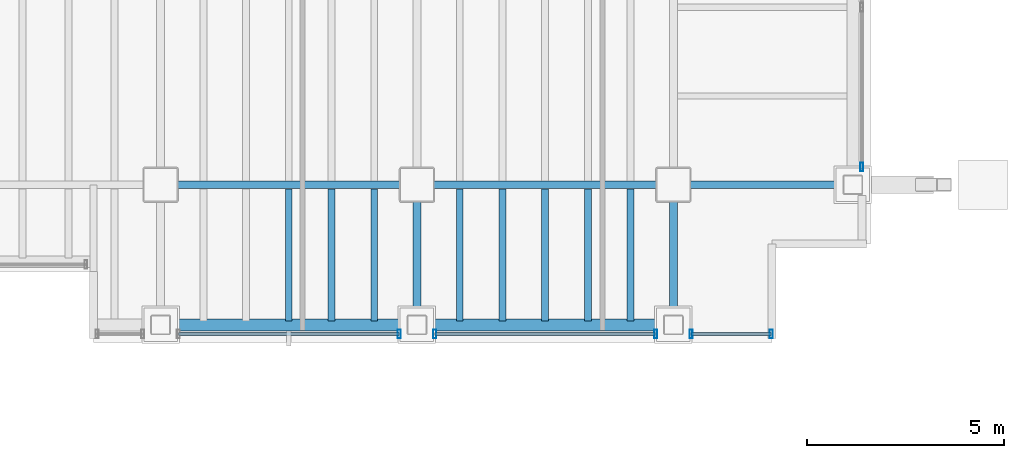
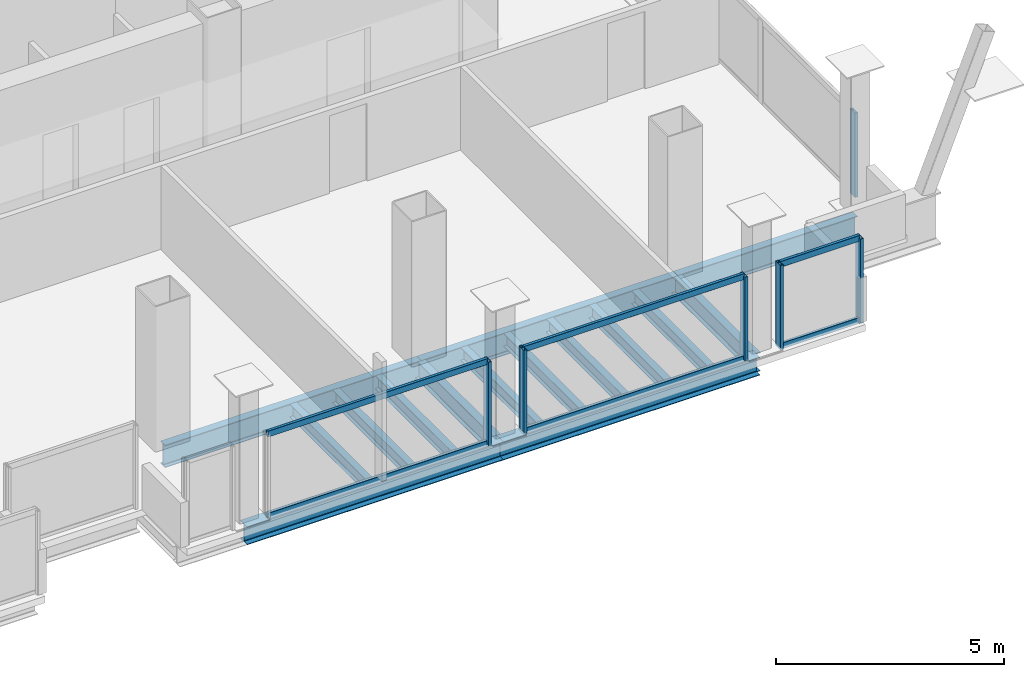
# One storey, part 11 of 19: 15 beams, 12 members, 4 elements without a shape of their own.
"""IFC4 building model written with IfcOpenShell, lengths in metres."""

from ifc_helpers import new_model, si_unit, direction, frame, origin, origin_2d, place, context, subcontext, project, spatial, hollow_rectangle, i_section, extrude, material, material_profile, profile_set, type_object, element, aggregate, save


model = new_model("IFC4")

# Units and contexts
model_context = context("Model", 3, precision=1e-05, world=origin(), true_north=direction((0.0, 1.0)))
body_context = subcontext(model_context, "Body", "Model", "MODEL_VIEW")
ifc_project = project(units=[si_unit("LENGTHUNIT", "METRE"), si_unit("AREAUNIT", "SQUARE_METRE"), si_unit("VOLUMEUNIT", "CUBIC_METRE"), si_unit("PLANEANGLEUNIT", "RADIAN"), si_unit("MASSUNIT", "GRAM", prefix="KILO")], contexts=[model_context])

# Site, building, storey
site_placement = place(None, origin())
site = spatial("IfcSite", under=ifc_project, at=site_placement, CompositionType="ELEMENT")
building_placement = place(site_placement, origin())
building = spatial("IfcBuilding", under=site, at=building_placement, Name="Noeulbin Bourse Tower", CompositionType="ELEMENT")
storey_placement = place(building_placement, frame((0.0, 0.0, 165.60009765625)))
storey = spatial("IfcBuildingStorey", under=building, at=storey_placement, Name="L41", CompositionType="ELEMENT", Elevation=165.60009765625)

# Beams
ifc_material_1 = material(Name="Steel S355", Category="steel")
ifc_material_profile_1 = material_profile(ifc_material_1, i_section(OverallWidth=0.199951171875, OverallDepth=0.5, WebThickness=0.010009765625, FlangeThickness=0.01611328125, FilletRadius=0.02001953125, at=origin_2d()), Name="H-500x200x10x16", Category="LoadBearing")
ifc_profile_set_1 = profile_set([ifc_material_profile_1], Name="Steel S355")
beam_type_1 = type_object("IfcBeamType", Name="BM-GRD-500", PredefinedType="USERDEFINED", material=ifc_profile_set_1)
for number, where, z_axis, x_axis, name in (
    (1, (37.5, 16.449951171875, -0.43017578125), (0.0, 1.0, 0.0), (-1.0, 0.0, 0.0), "Tower Primary Girder NS L41-4.1"),
    (2, (44.0, 16.449951171875, -0.43017578125), (0.0, 1.0, 0.0), (-1.0, 0.0, 0.0), "Tower Primary Girder NS L41-5.1"),
):
    element("IfcBeam", number, at=place(storey_placement, frame(where, z_axis=z_axis, x_axis=x_axis)), inside=storey, type_object=beam_type_1, Name=name, ObjectType="GIRDER", PredefinedType="USERDEFINED", context=body_context, shape_type="SweptSolid", body=[
        extrude(i_section(OverallWidth=0.199951171875, OverallDepth=0.5, WebThickness=0.010009765625, FlangeThickness=0.01611328125, FilletRadius=0.02001953125, at=origin_2d()), origin(), (0.0, 0.0, 1.0), 3.550048828125),
    ])
ifc_material_profile_2 = material_profile(ifc_material_1, i_section(OverallWidth=0.199951171875, OverallDepth=0.60009765625, WebThickness=0.010986328125, FlangeThickness=0.01708984375, FilletRadius=0.02197265625, at=origin_2d()), Name="H-600x200x11x17", Category="LoadBearing")
ifc_profile_set_2 = profile_set([ifc_material_profile_2], Name="Steel S355")
beam_type_2 = type_object("IfcBeamType", Name="BM-GRD-600", PredefinedType="USERDEFINED", material=ifc_profile_set_2)
for number, where, z_axis, x_axis, name in (
    (3, (31.0, 20.0, -0.47998046875), (1.0, 0.0, 0.0), (0.0, 1.0, 0.0), "Tower Primary Girder EW L41-1.4"),
    (4, (37.5, 20.0, -0.47998046875), (1.0, 0.0, 0.0), (0.0, 1.0, 0.0), "Tower Primary Girder EW L41-1.5"),
):
    element("IfcBeam", number, at=place(storey_placement, frame(where, z_axis=z_axis, x_axis=x_axis)), inside=storey, type_object=beam_type_2, Name=name, ObjectType="GIRDER", PredefinedType="USERDEFINED", context=body_context, shape_type="SweptSolid", body=[
        extrude(i_section(OverallWidth=0.199951171875, OverallDepth=0.60009765625, WebThickness=0.010986328125, FlangeThickness=0.01708984375, FilletRadius=0.02197265625, at=origin_2d()), origin(), (0.0, 0.0, 1.0), 6.5),
    ])
beam_placement = place(storey_placement, frame((44.0, 20.0, -0.47998046875), z_axis=(1.0, 0.0, 0.0), x_axis=(0.0, 1.0, 0.0)))
element("IfcBeam", 5, at=beam_placement, inside=storey, type_object=beam_type_2, Name="Tower Primary Girder EW L41-1.6", ObjectType="GIRDER", PredefinedType="USERDEFINED", context=body_context, shape_type="SweptSolid", body=[
    extrude(i_section(OverallWidth=0.199951171875, OverallDepth=0.60009765625, WebThickness=0.010986328125, FlangeThickness=0.01708984375, FilletRadius=0.02197265625, at=origin_2d()), origin(), (0.0, 0.0, 1.0), 4.550048828125),
])
ifc_material_profile_3 = material_profile(ifc_material_1, i_section(OverallWidth=0.175048828125, OverallDepth=0.35009765625, WebThickness=0.007080078125, FlangeThickness=0.010986328125, FilletRadius=0.013916015625, at=origin_2d()), Name="H-350x175x7x11", Category="LoadBearing")
ifc_profile_set_3 = profile_set([ifc_material_profile_3], Name="Steel S355")
beam_type_3 = type_object("IfcBeamType", Name="BM-JST-350", PredefinedType="JOIST", material=ifc_profile_set_3)
for number, where, z_axis, x_axis, name in (
    (6, (34.25, 16.550048828125, -0.35498046875), (0.0, 1.0, 0.0), (-1.0, 0.0, 0.0), "Tower Composite Joist L41-46"),
    (7, (35.333251953125, 16.550048828125, -0.35498046875), (0.0, 1.0, 0.0), (-1.0, 0.0, 0.0), "Tower Composite Joist L41-49"),
    (8, (36.416748046875, 16.550048828125, -0.35498046875), (0.0, 1.0, 0.0), (-1.0, 0.0, 0.0), "Tower Composite Joist L41-52"),
    (9, (38.583251953125, 16.550048828125, -0.35498046875), (0.0, 1.0, 0.0), (-1.0, 0.0, 0.0), "Tower Composite Joist L41-55"),
    (10, (39.666748046875, 16.550048828125, -0.35498046875), (0.0, 1.0, 0.0), (-1.0, 0.0, 0.0), "Tower Composite Joist L41-58"),
    (11, (40.75, 16.550048828125, -0.35498046875), (0.0, 1.0, 0.0), (-1.0, 0.0, 0.0), "Tower Composite Joist L41-61"),
    (12, (41.833251953125, 16.550048828125, -0.35498046875), (0.0, 1.0, 0.0), (-1.0, 0.0, 0.0), "Tower Composite Joist L41-64"),
    (13, (42.916748046875, 16.550048828125, -0.35498046875), (0.0, 1.0, 0.0), (-1.0, 0.0, 0.0), "Tower Composite Joist L41-67"),
):
    element("IfcBeam", number, at=place(storey_placement, frame(where, z_axis=z_axis, x_axis=x_axis)), inside=storey, type_object=beam_type_3, Name=name, PredefinedType="JOIST", context=body_context, shape_type="SweptSolid", body=[
        extrude(i_section(OverallWidth=0.175048828125, OverallDepth=0.35009765625, WebThickness=0.007080078125, FlangeThickness=0.010986328125, FilletRadius=0.013916015625, at=origin_2d()), origin(), (0.0, 0.0, 1.0), 3.349853515625),
    ])
ifc_material_profile_4 = material_profile(ifc_material_1, i_section(OverallWidth=0.300048828125, OverallDepth=0.488037109375, WebThickness=0.010986328125, FlangeThickness=0.01806640625, FilletRadius=0.02197265625, at=origin_2d()), Name="H-488x300x11x18", Category="LoadBearing")
ifc_profile_set_4 = profile_set([ifc_material_profile_4], Name="Steel S355")
beam_type_4 = type_object("IfcBeamType", Name="BM-SPN-488", PredefinedType="SPANDREL", material=ifc_profile_set_4)
for number, where, z_axis, x_axis, name in (
    (14, (31.0, 16.449951171875, -0.424072265625), (1.0, 0.0, 0.0), (0.0, 1.0, 0.0), "South Spandrel L41-3"),
    (15, (37.5, 16.449951171875, -0.424072265625), (1.0, 0.0, 0.0), (0.0, 1.0, 0.0), "South Spandrel L41-4"),
):
    element("IfcBeam", number, at=place(storey_placement, frame(where, z_axis=z_axis, x_axis=x_axis)), inside=storey, type_object=beam_type_4, Name=name, PredefinedType="SPANDREL", context=body_context, shape_type="SweptSolid", body=[
        extrude(i_section(OverallWidth=0.300048828125, OverallDepth=0.488037109375, WebThickness=0.010986328125, FlangeThickness=0.01806640625, FilletRadius=0.02197265625, at=origin_2d()), origin(), (0.0, 0.0, 1.0), 6.5),
    ])

# Curtain wall, member
ifc_material_2 = material(Name="Dark Tinted Triple Glazing", Category="glass")
curtain_wall_type = type_object("IfcCurtainWallType", Name="CW-SYS-3", PredefinedType="NOTDEFINED", material=ifc_material_2)
curtain_wall_1_placement = place(storey_placement, origin())
curtain_wall_1 = element("IfcCurtainWall", 16, at=curtain_wall_1_placement, inside=storey, type_object=curtain_wall_type, Name="Unitised Curtain Wall CW-L41-S3-S2", PredefinedType="NOTDEFINED")
ifc_material_3 = material(Name="Anodised Aluminium 6063-T6", Category="aluminium")
ifc_material_profile_5 = material_profile(ifc_material_3, hollow_rectangle(XDim=0.074951171875, YDim=0.219970703125, WallThickness=0.0048828125, InnerFilletRadius=0.00244140625, OuterFilletRadius=0.0048828125, at=origin_2d()), Name="ALU-MULL-75x220x5", Category="LoadBearing")
ifc_profile_set_5 = profile_set([ifc_material_profile_5], Name="Anodised Aluminium 6063-T6")
member_type_1 = type_object("IfcMemberType", Name="CW-SYS-3-MUL", PredefinedType="MULLION", material=ifc_profile_set_5)
member_1_placement = place(storey_placement, frame((37.050048828125, 16.219970703125, -0.02001953125), z_axis=(0.0, 0.0, 1.0), x_axis=(1.0, 0.0, 0.0)))
member_1 = element("IfcMember", 17, at=member_1_placement, type_object=member_type_1, Name="Curtain Wall Mullion CW-L41-S3-S2-M01", PredefinedType="MULLION", context=body_context, shape_type="SweptSolid", body=[
    extrude(hollow_rectangle(XDim=0.074951171875, YDim=0.219970703125, WallThickness=0.0048828125, InnerFilletRadius=0.00244140625, OuterFilletRadius=0.0048828125, at=origin_2d()), origin(), (0.0, 0.0, 1.0), 2.260009765625),
])

# Curtain wall, members
curtain_wall_2_placement = place(storey_placement, origin())
curtain_wall_2 = element("IfcCurtainWall", 18, at=curtain_wall_2_placement, inside=storey, type_object=curtain_wall_type, Name="Unitised Curtain Wall CW-L41-S3-S3", PredefinedType="NOTDEFINED")
member_2_placement = place(storey_placement, frame((37.949951171875, 16.219970703125, -0.02001953125), z_axis=(0.0, 0.0, 1.0), x_axis=(1.0, 0.0, 0.0)))
member_2 = element("IfcMember", 19, at=member_2_placement, type_object=member_type_1, Name="Curtain Wall Mullion CW-L41-S3-S3-M00", PredefinedType="MULLION", context=body_context, shape_type="SweptSolid", body=[
    extrude(hollow_rectangle(XDim=0.074951171875, YDim=0.219970703125, WallThickness=0.0048828125, InnerFilletRadius=0.00244140625, OuterFilletRadius=0.0048828125, at=origin_2d()), origin(), (0.0, 0.0, 1.0), 2.260009765625),
])
member_3_placement = place(storey_placement, frame((43.550048828125, 16.219970703125, -0.02001953125), z_axis=(0.0, 0.0, 1.0), x_axis=(1.0, 0.0, 0.0)))
member_3 = element("IfcMember", 20, at=member_3_placement, type_object=member_type_1, Name="Curtain Wall Mullion CW-L41-S3-S3-M01", PredefinedType="MULLION", context=body_context, shape_type="SweptSolid", body=[
    extrude(hollow_rectangle(XDim=0.074951171875, YDim=0.219970703125, WallThickness=0.0048828125, InnerFilletRadius=0.00244140625, OuterFilletRadius=0.0048828125, at=origin_2d()), origin(), (0.0, 0.0, 1.0), 2.260009765625),
])

curtain_wall_3_placement = place(storey_placement, origin())
curtain_wall_3 = element("IfcCurtainWall", 21, at=curtain_wall_3_placement, inside=storey, type_object=curtain_wall_type, Name="Unitised Curtain Wall CW-L41-S3-S4", PredefinedType="NOTDEFINED")
member_4_placement = place(storey_placement, frame((44.449951171875, 16.219970703125, -0.02001953125), z_axis=(0.0, 0.0, 1.0), x_axis=(1.0, 0.0, 0.0)))
member_4 = element("IfcMember", 22, at=member_4_placement, type_object=member_type_1, Name="Curtain Wall Mullion CW-L41-S3-S4-M00", PredefinedType="MULLION", context=body_context, shape_type="SweptSolid", body=[
    extrude(hollow_rectangle(XDim=0.074951171875, YDim=0.219970703125, WallThickness=0.0048828125, InnerFilletRadius=0.00244140625, OuterFilletRadius=0.0048828125, at=origin_2d()), origin(), (0.0, 0.0, 1.0), 2.260009765625),
])
member_5_placement = place(storey_placement, frame((46.47998046875, 16.219970703125, -0.02001953125), z_axis=(0.0, 0.0, 1.0), x_axis=(1.0, 0.0, 0.0)))
member_5 = element("IfcMember", 23, at=member_5_placement, type_object=member_type_1, Name="Curtain Wall Mullion CW-L41-S3-S4-M01", PredefinedType="MULLION", context=body_context, shape_type="SweptSolid", body=[
    extrude(hollow_rectangle(XDim=0.074951171875, YDim=0.219970703125, WallThickness=0.0048828125, InnerFilletRadius=0.00244140625, OuterFilletRadius=0.0048828125, at=origin_2d()), origin(), (0.0, 0.0, 1.0), 2.260009765625),
])

# Curtain wall, member
curtain_wall_4_placement = place(storey_placement, origin())
curtain_wall_4 = element("IfcCurtainWall", 24, at=curtain_wall_4_placement, inside=storey, type_object=curtain_wall_type, Name="Unitised Curtain Wall CW-L41-E-S1", PredefinedType="NOTDEFINED")
member_6_placement = place(storey_placement, frame((48.780029296875, 20.449951171875, -0.02001953125), z_axis=(0.0, 0.0, 1.0), x_axis=(1.0, 0.0, 0.0)))
member_6 = element("IfcMember", 25, at=member_6_placement, type_object=member_type_1, Name="Curtain Wall Mullion CW-L41-E-S1-M00", PredefinedType="MULLION", context=body_context, shape_type="SweptSolid", body=[
    extrude(hollow_rectangle(XDim=0.074951171875, YDim=0.219970703125, WallThickness=0.0048828125, InnerFilletRadius=0.00244140625, OuterFilletRadius=0.0048828125, at=origin_2d()), origin(), (0.0, 0.0, 1.0), 2.260009765625),
])
aggregate(curtain_wall_4, [member_6])

# Member
ifc_material_profile_6 = material_profile(ifc_material_3, hollow_rectangle(XDim=0.074951171875, YDim=0.159912109375, WallThickness=0.0048828125, InnerFilletRadius=0.00244140625, OuterFilletRadius=0.0048828125, at=origin_2d()), Name="ALU-TRAN-75x160x5", Category="LoadBearing")
ifc_profile_set_6 = profile_set([ifc_material_profile_6], Name="Anodised Aluminium 6063-T6")
member_type_2 = type_object("IfcMemberType", Name="CW-SYS-3-TRN", PredefinedType="USERDEFINED", material=ifc_profile_set_6)
member_7_placement = place(storey_placement, frame((31.4599609375, 16.219970703125, 0.010009765625), z_axis=(1.0, 0.0, 0.0), x_axis=(0.0, 1.0, 0.0)))
member_7 = element("IfcMember", 26, at=member_7_placement, type_object=member_type_2, Name="Curtain Wall Transom CW-L41-S3-S2-T00", ObjectType="TRANSOM", PredefinedType="USERDEFINED", context=body_context, shape_type="SweptSolid", body=[
    extrude(hollow_rectangle(XDim=0.074951171875, YDim=0.159912109375, WallThickness=0.0048828125, InnerFilletRadius=0.00244140625, OuterFilletRadius=0.0048828125, at=origin_2d()), origin(), (0.0, 0.0, 1.0), 5.580078125),
])

member_8_placement = place(storey_placement, frame((31.4599609375, 16.219970703125, 2.2099609375), z_axis=(1.0, 0.0, 0.0), x_axis=(0.0, 1.0, 0.0)))
member_8 = element("IfcMember", 27, at=member_8_placement, type_object=member_type_2, Name="Curtain Wall Transom CW-L41-S3-S2-T01", ObjectType="TRANSOM", PredefinedType="USERDEFINED", context=body_context, shape_type="SweptSolid", body=[
    extrude(hollow_rectangle(XDim=0.074951171875, YDim=0.159912109375, WallThickness=0.0048828125, InnerFilletRadius=0.00244140625, OuterFilletRadius=0.0048828125, at=origin_2d()), origin(), (0.0, 0.0, 1.0), 5.580078125),
])

aggregate(curtain_wall_1, [member_1, member_7, member_8])

member_9_placement = place(storey_placement, frame((37.9599609375, 16.219970703125, 0.010009765625), z_axis=(1.0, 0.0, 0.0), x_axis=(0.0, 1.0, 0.0)))
member_9 = element("IfcMember", 28, at=member_9_placement, type_object=member_type_2, Name="Curtain Wall Transom CW-L41-S3-S3-T00", ObjectType="TRANSOM", PredefinedType="USERDEFINED", context=body_context, shape_type="SweptSolid", body=[
    extrude(hollow_rectangle(XDim=0.074951171875, YDim=0.159912109375, WallThickness=0.0048828125, InnerFilletRadius=0.00244140625, OuterFilletRadius=0.0048828125, at=origin_2d()), origin(), (0.0, 0.0, 1.0), 5.580078125),
])

member_10_placement = place(storey_placement, frame((37.9599609375, 16.219970703125, 2.2099609375), z_axis=(1.0, 0.0, 0.0), x_axis=(0.0, 1.0, 0.0)))
member_10 = element("IfcMember", 29, at=member_10_placement, type_object=member_type_2, Name="Curtain Wall Transom CW-L41-S3-S3-T01", ObjectType="TRANSOM", PredefinedType="USERDEFINED", context=body_context, shape_type="SweptSolid", body=[
    extrude(hollow_rectangle(XDim=0.074951171875, YDim=0.159912109375, WallThickness=0.0048828125, InnerFilletRadius=0.00244140625, OuterFilletRadius=0.0048828125, at=origin_2d()), origin(), (0.0, 0.0, 1.0), 5.580078125),
])

aggregate(curtain_wall_2, [member_2, member_3, member_9, member_10])

member_11_placement = place(storey_placement, frame((44.4599609375, 16.219970703125, 0.010009765625), z_axis=(1.0, 0.0, 0.0), x_axis=(0.0, 1.0, 0.0)))
member_11 = element("IfcMember", 30, at=member_11_placement, type_object=member_type_2, Name="Curtain Wall Transom CW-L41-S3-S4-T00", ObjectType="TRANSOM", PredefinedType="USERDEFINED", context=body_context, shape_type="SweptSolid", body=[
    extrude(hollow_rectangle(XDim=0.074951171875, YDim=0.159912109375, WallThickness=0.0048828125, InnerFilletRadius=0.00244140625, OuterFilletRadius=0.0048828125, at=origin_2d()), origin(), (0.0, 0.0, 1.0), 2.010009765625),
])

member_12_placement = place(storey_placement, frame((44.4599609375, 16.219970703125, 2.2099609375), z_axis=(1.0, 0.0, 0.0), x_axis=(0.0, 1.0, 0.0)))
member_12 = element("IfcMember", 31, at=member_12_placement, type_object=member_type_2, Name="Curtain Wall Transom CW-L41-S3-S4-T01", ObjectType="TRANSOM", PredefinedType="USERDEFINED", context=body_context, shape_type="SweptSolid", body=[
    extrude(hollow_rectangle(XDim=0.074951171875, YDim=0.159912109375, WallThickness=0.0048828125, InnerFilletRadius=0.00244140625, OuterFilletRadius=0.0048828125, at=origin_2d()), origin(), (0.0, 0.0, 1.0), 2.010009765625),
])

aggregate(curtain_wall_3, [member_4, member_5, member_11, member_12])

save(model, "model.ifc")
